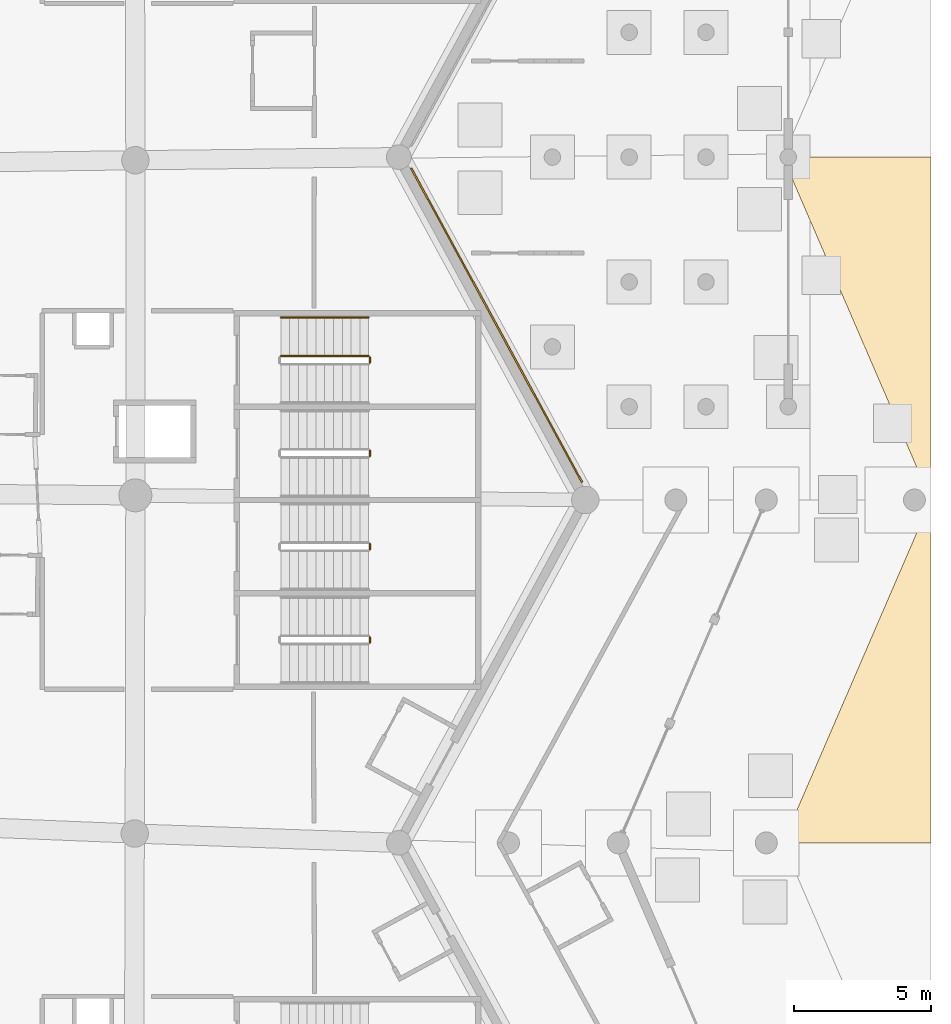
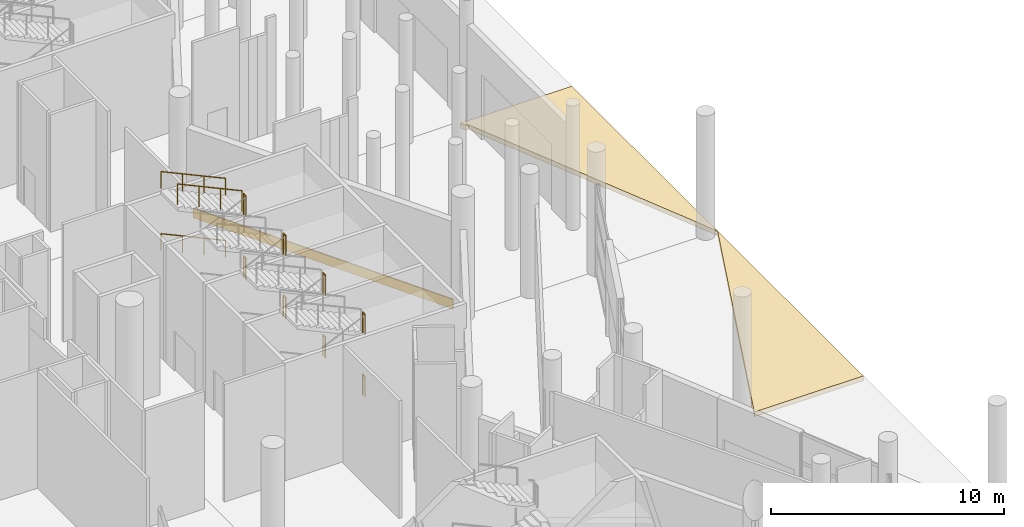
# One storey, part 221 of 255: 11 railings, 3 coverings.
"""IFC4 building model written with IfcOpenShell, lengths in metres."""

from ifc_helpers import new_model, si_unit, direction, frame, origin, origin_2d, place, context, subcontext, project, spatial, polyline, rectangle, circle, outline, extrude, material, layer, layer_set, type_object, element, save


model = new_model("IFC4")

# Units and contexts
model_context = context("Model", 3, precision=1e-05, world=origin(), true_north=direction((0.0, 1.0)))
body_context = subcontext(model_context, "Body", "Model", "MODEL_VIEW")
ifc_project = project(units=[si_unit("LENGTHUNIT", "METRE"), si_unit("AREAUNIT", "SQUARE_METRE"), si_unit("VOLUMEUNIT", "CUBIC_METRE"), si_unit("PLANEANGLEUNIT", "RADIAN"), si_unit("MASSUNIT", "GRAM", prefix="KILO")], contexts=[model_context])

# Site, building, storey
site_placement = place(None, origin())
site = spatial("IfcSite", under=ifc_project, at=site_placement, CompositionType="ELEMENT")
building_placement = place(site_placement, origin())
building = spatial("IfcBuilding", under=site, at=building_placement, Name="Meseta Stadium", CompositionType="ELEMENT")
storey_placement = place(building_placement, origin())
storey = spatial("IfcBuildingStorey", under=building, at=storey_placement, Name="L00", CompositionType="ELEMENT", Elevation=0.0)

# Coverings
ifc_material_1 = material(Name="Guadarrama granite cladding", Category="masonry")
ifc_layer_1 = layer(ifc_material_1, 0.06005859375)
ifc_layer_set_1 = layer_set([ifc_layer_1], Name="Granite plinth cladding 60")
covering_type_1 = type_object("IfcCoveringType", Name="Granite plinth cladding 60", PredefinedType="CLADDING", material=ifc_layer_set_1)
covering_1_placement = place(storey_placement, frame((98.168212890625, 0.119873046875, 0.0), z_axis=(0.0, 0.0, 1.0), x_axis=(0.47786723231, -0.878432073802, 0.0)))
element("IfcCovering", 1, at=covering_1_placement, inside=storey, type_object=covering_type_1, Name="Granite plinth L00 F04", PredefinedType="CLADDING", context=body_context, shape_type="SweptSolid", body=[
    extrude(rectangle(XDim=13.040283203125, YDim=0.06005859375, at=origin_2d()), origin(), (0.0, 0.0, 1.0), 0.5),
])
ifc_material_2 = material(Name="Guadarrama granite paving on bedding", Category="masonry")
ifc_layer_2 = layer(ifc_material_2, 0.25)
ifc_layer_set_2 = layer_set([ifc_layer_2], Name="Ground paving 250")
covering_type_2 = type_object("IfcCoveringType", Name="Ground paving 250", PredefinedType="FLOORING", material=ifc_layer_set_2)
covering_2_placement = place(storey_placement, frame((0.0, 0.0, -0.25)))
element("IfcCovering", 2, at=covering_2_placement, inside=storey, type_object=covering_type_2, Name="Forecourt paving 31", PredefinedType="FLOORING", context=body_context, shape_type="SweptSolid", body=[
    extrude(outline(polyline([(114.0, -18.75), (114.0, -6.25), (108.60009765625, -18.75), (114.0, -18.75)])), origin(), (0.0, 0.0, 1.0), 0.25),
])
covering_3_placement = place(storey_placement, frame((0.0, 0.0, -0.25)))
element("IfcCovering", 3, at=covering_3_placement, inside=storey, type_object=covering_type_2, Name="Forecourt paving 34", PredefinedType="FLOORING", context=body_context, shape_type="SweptSolid", body=[
    extrude(outline(polyline([(114.0, 6.25), (108.497314453125, 6.25), (108.5078125, 6.171630859375), (108.5380859375, 6.0986328125), (108.5859375, 6.035888671875), (108.648681640625, 5.988037109375), (108.7265625, 5.95703125), (114.0, -6.25), (114.0, 6.25)])), origin(), (0.0, 0.0, 1.0), 0.25),
])

# Railings
ifc_material_3 = material(Name="Steel S355", Category="steel")
railing_type_1 = type_object("IfcRailingType", Name="Stair guard 1100", PredefinedType="GUARDRAIL", material=ifc_material_3)
for number, where, name in (
    (4, (93.550048828125, -11.449951171875, 1.625), "ST9 L00 guard 2"),
    (5, (93.550048828125, -11.449951171875, 4.875), "ST9 L00 guard 6"),
    (6, (93.550048828125, -8.050048828125, 1.625), "ST10 L00 guard 2"),
    (7, (93.550048828125, -8.050048828125, 4.875), "ST10 L00 guard 6"),
    (8, (93.550048828125, -4.64990234375, 1.625), "ST11 L00 guard 2"),
    (9, (93.550048828125, -4.64990234375, 4.875), "ST11 L00 guard 6"),
    (10, (93.550048828125, -1.25, 1.625), "ST12 L00 guard 2"),
    (11, (93.550048828125, -1.25, 4.875), "ST12 L00 guard 6"),
):
    element("IfcRailing", number, at=place(storey_placement, frame(where)), inside=storey, type_object=railing_type_1, Name=name, PredefinedType="GUARDRAIL", context=body_context, shape_type="SweptSolid", body=[
        extrude(circle(Radius=0.02392578125, at=origin_2d()), frame((0.0, 0.0, 1.076171875), z_axis=(0.0, 1.0, 0.0), x_axis=(-1.0, 0.0, 0.0)), (0.0, 0.0, 1.0), 0.199951171875),
        extrude(circle(Radius=0.02099609375, at=origin_2d()), origin(), (0.0, 0.0, 1.0), 1.052001953125),
        extrude(circle(Radius=0.02099609375, at=origin_2d()), frame((0.0, 0.199951171875, 0.0)), (0.0, 0.0, 1.0), 1.052001953125),
    ])
railing_placement = place(storey_placement, frame((93.5, -1.0, 5.022705078125)))
element("IfcRailing", 12, at=railing_placement, inside=storey, type_object=railing_type_1, Name="ST12 L00 guard 7", PredefinedType="GUARDRAIL", context=body_context, shape_type="SweptSolid", body=[
    extrude(circle(Radius=0.02392578125, at=origin_2d()), frame((0.0, 0.0, 1.076171875), z_axis=(-0.907916804346, 0.0, 0.419150422148), x_axis=(0.0, -1.0, 0.0)), (0.0, 0.0, 1.0), 3.5244140625),
    extrude(circle(Radius=0.02099609375, at=origin_2d()), origin(), (0.0, 0.0, 1.0), 1.052001953125),
    extrude(circle(Radius=0.02099609375, at=origin_2d()), frame((-1.066650390625, 0.0, 0.492431640625)), (0.0, 0.0, 1.0), 1.052001953125),
    extrude(circle(Radius=0.02099609375, at=origin_2d()), frame((-2.13330078125, 0.0, 0.98486328125)), (0.0, 0.0, 1.0), 1.052001953125),
    extrude(circle(Radius=0.02099609375, at=origin_2d()), frame((-3.199951171875, 0.0, 1.477294921875)), (0.0, 0.0, 1.0), 1.052001953125),
])
ifc_material_4 = material(Name="Steel S355", Category="steel")
railing_type_2 = type_object("IfcRailingType", Name="Stair handrail 900", PredefinedType="HANDRAIL", material=ifc_material_4)
for number, where, name in (
    (13, (93.5, 0.39990234375, 1.772705078125), "ST12 L00 handrail 2"),
    (14, (93.5, 0.39990234375, 5.022705078125), "ST12 L00 handrail 4"),
):
    element("IfcRailing", number, at=place(storey_placement, frame(where)), inside=storey, type_object=railing_type_2, Name=name, PredefinedType="HANDRAIL", context=body_context, shape_type="SweptSolid", body=[
        extrude(circle(Radius=0.02392578125, at=origin_2d()), frame((0.0, 0.0, 0.8759765625), z_axis=(-0.907916804346, 0.0, 0.419150422148), x_axis=(0.0, -1.0, 0.0)), (0.0, 0.0, 1.0), 3.5244140625),
        extrude(circle(Radius=0.02099609375, at=origin_2d()), origin(), (0.0, 0.0, 1.0), 0.851806640625),
        extrude(circle(Radius=0.02099609375, at=origin_2d()), frame((-1.066650390625, 0.0, 0.492431640625)), (0.0, 0.0, 1.0), 0.851806640625),
        extrude(circle(Radius=0.02099609375, at=origin_2d()), frame((-2.13330078125, 0.0, 0.98486328125)), (0.0, 0.0, 1.0), 0.851806640625),
        extrude(circle(Radius=0.02099609375, at=origin_2d()), frame((-3.199951171875, 0.0, 1.477294921875)), (0.0, 0.0, 1.0), 0.851806640625),
    ])

save(model, "model.ifc")
